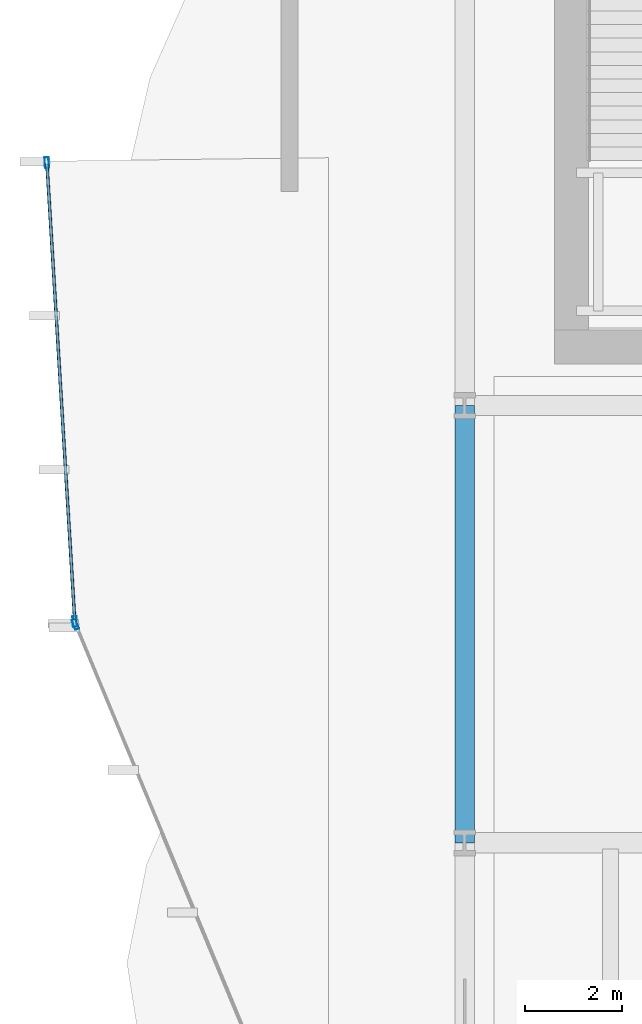
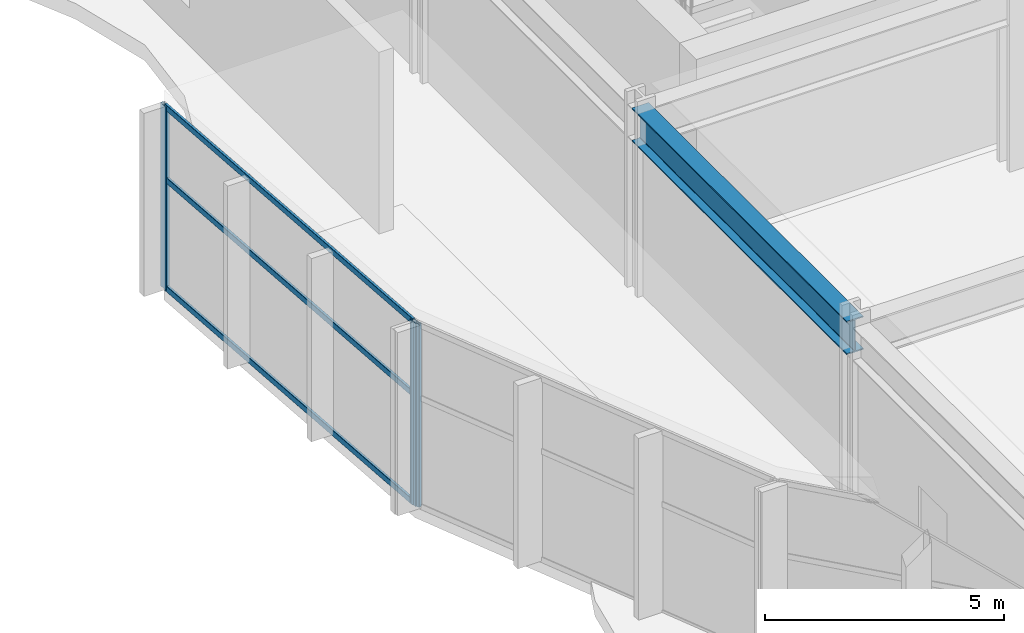
# One storey, part 5 of 28: 6 members, 1 beam, 2 elements without a shape of their own.
"""IFC4 building model written with IfcOpenShell, lengths in metres."""

from ifc_helpers import new_model, si_unit, direction, frame, origin, origin_2d, place, context, subcontext, project, spatial, hollow_rectangle, i_section, extrude, material, layer, layer_set, material_profile, profile_set, type_object, element, aggregate, save


model = new_model("IFC4")

# Units and contexts
model_context = context("Model", 3, precision=1e-05, world=origin(), true_north=direction((0.0, 1.0)))
body_context = subcontext(model_context, "Body", "Model", "MODEL_VIEW")
ifc_project = project(units=[si_unit("LENGTHUNIT", "METRE"), si_unit("AREAUNIT", "SQUARE_METRE"), si_unit("VOLUMEUNIT", "CUBIC_METRE"), si_unit("PLANEANGLEUNIT", "RADIAN"), si_unit("MASSUNIT", "GRAM", prefix="KILO")], contexts=[model_context])

# Site, building, storey
site_placement = place(None, origin())
site = spatial("IfcSite", under=ifc_project, at=site_placement, CompositionType="ELEMENT")
building_placement = place(site_placement, origin())
building = spatial("IfcBuilding", under=site, at=building_placement, Name="Solvaryn Broadcast Tower", CompositionType="ELEMENT")
storey_placement = place(building_placement, frame((0.0, 0.0, 16.199951171875)))
storey = spatial("IfcBuildingStorey", under=building, at=storey_placement, Name="L03", CompositionType="ELEMENT", Elevation=16.199951171875)

# Beam
ifc_material_1 = material(Name="Steel ASTM A992 Grade 50", Category="steel")
ifc_material_profile_1 = material_profile(ifc_material_1, i_section(OverallWidth=0.39990234375, OverallDepth=0.85498046875, WebThickness=0.018310546875, FlangeThickness=0.029296875, FilletRadius=0.02001953125, at=origin_2d()))
ifc_profile_set_1 = profile_set([ifc_material_profile_1], Name="Steel ASTM A992 Grade 50")
beam_type = type_object("IfcBeamType", Name="BM-G3-W33X201", PredefinedType="BEAM", material=ifc_profile_set_1)
beam_placement = place(storey_placement, frame((9.0, 18.0, 4.25244140625), z_axis=(0.0, 1.0, 0.0), x_axis=(-1.0, 0.0, 0.0)))
element("IfcBeam", 1, at=beam_placement, inside=storey, type_object=beam_type, Name="L03 Primary Beam Y (18-27 @ X=9)", PredefinedType="BEAM", context=body_context, shape_type="SweptSolid", body=[
    extrude(i_section(OverallWidth=0.39990234375, OverallDepth=0.85498046875, WebThickness=0.018310546875, FlangeThickness=0.029296875, FilletRadius=0.02001953125, at=origin_2d()), origin(), (0.0, 0.0, 1.0), 9.0),
])

# Curtain wall, members
ifc_material_2 = material(Name="Aluminium and Terracotta Unitised Curtain Wall", Category="masonry")
ifc_layer = layer(ifc_material_2, 0.219970703125)
ifc_layer_set = layer_set([ifc_layer], Name="CW-SYS1-PODIUM")
curtain_wall_type = type_object("IfcCurtainWallType", Name="CW-SYS1-PODIUM", PredefinedType="NOTDEFINED", material=ifc_layer_set)
curtain_wall_1_placement = place(storey_placement, origin())
curtain_wall_1 = element("IfcCurtainWall", 2, at=curtain_wall_1_placement, inside=storey, type_object=curtain_wall_type, Name="L03 Podium Curtain Wall DC1", PredefinedType="NOTDEFINED")
ifc_material_3 = material(Name="Anodised Aluminium 6063-T6", Category="aluminium")
ifc_material_profile_2 = material_profile(ifc_material_3, hollow_rectangle(XDim=0.0849609375, YDim=0.219970703125, WallThickness=0.0048828125, InnerFilletRadius=0.0048828125, OuterFilletRadius=0.010009765625, at=origin_2d()))
ifc_profile_set_2 = profile_set([ifc_material_profile_2], Name="Anodised Aluminium 6063-T6")
member_type_1 = type_object("IfcMemberType", Name="CW-MUL-220", PredefinedType="MULLION", material=ifc_profile_set_2)
member_1_placement = place(storey_placement, frame((0.40185546875, 32.0, 0.0), z_axis=(0.0, 0.0, 1.0), x_axis=(0.99815019831, 0.06079623026, 0.0)))
member_1 = element("IfcMember", 3, at=member_1_placement, type_object=member_type_1, Name="CWS1 mullion 1", PredefinedType="MULLION", context=body_context, shape_type="SweptSolid", body=[
    extrude(hollow_rectangle(XDim=0.0849609375, YDim=0.219970703125, WallThickness=0.0048828125, InnerFilletRadius=0.0048828125, OuterFilletRadius=0.010009765625, at=origin_2d()), origin(), (0.0, 0.0, 1.0), 4.679931640625),
])
member_2_placement = place(storey_placement, frame((0.977294921875, 22.553955078125, 0.0), z_axis=(0.0, 0.0, 1.0), x_axis=(0.99815019831, 0.06079623026, 0.0)))
member_2 = element("IfcMember", 4, at=member_2_placement, type_object=member_type_1, Name="CWS1 mullion 2", PredefinedType="MULLION", context=body_context, shape_type="SweptSolid", body=[
    extrude(hollow_rectangle(XDim=0.0849609375, YDim=0.219970703125, WallThickness=0.0048828125, InnerFilletRadius=0.0048828125, OuterFilletRadius=0.010009765625, at=origin_2d()), origin(), (0.0, 0.0, 1.0), 4.679931640625),
])

# Curtain wall, member
curtain_wall_2_placement = place(storey_placement, origin())
curtain_wall_2 = element("IfcCurtainWall", 5, at=curtain_wall_2_placement, inside=storey, type_object=curtain_wall_type, Name="L03 Podium Curtain Wall DC2", PredefinedType="NOTDEFINED")
member_3_placement = place(storey_placement, frame((0.990478515625, 22.496337890625, 0.0), z_axis=(0.0, 0.0, 1.0), x_axis=(0.923582542835, 0.383399643414, 0.0)))
member_3 = element("IfcMember", 6, at=member_3_placement, type_object=member_type_1, Name="CWS1 mullion 1", PredefinedType="MULLION", context=body_context, shape_type="SweptSolid", body=[
    extrude(hollow_rectangle(XDim=0.0849609375, YDim=0.219970703125, WallThickness=0.0048828125, InnerFilletRadius=0.0048828125, OuterFilletRadius=0.010009765625, at=origin_2d()), origin(), (0.0, 0.0, 1.0), 4.679931640625),
])
aggregate(curtain_wall_2, [member_3])

# Member
ifc_material_4 = material(Name="Anodised Aluminium 6063-T6", Category="aluminium")
ifc_material_profile_3 = material_profile(ifc_material_4, hollow_rectangle(XDim=0.06494140625, YDim=0.14990234375, WallThickness=0.00390625, InnerFilletRadius=0.00390625, OuterFilletRadius=0.008056640625, at=origin_2d()))
ifc_profile_set_3 = profile_set([ifc_material_profile_3], Name="Anodised Aluminium 6063-T6")
member_type_2 = type_object("IfcMemberType", Name="CW-TRN-150", PredefinedType="USERDEFINED", material=ifc_profile_set_3)
member_4_placement = place(storey_placement, frame((0.403564453125, 31.97021484375, 0.030029296875), z_axis=(0.060803898209, -0.998149731234, 0.0), x_axis=(0.998149731234, 0.060803898209, 0.0)))
member_4 = element("IfcMember", 7, at=member_4_placement, type_object=member_type_2, Name="CWS1 transom 1.1", ObjectType="TRANSOM", PredefinedType="USERDEFINED", context=body_context, shape_type="SweptSolid", body=[
    extrude(hollow_rectangle(XDim=0.06494140625, YDim=0.14990234375, WallThickness=0.00390625, InnerFilletRadius=0.00390625, OuterFilletRadius=0.008056640625, at=origin_2d()), origin(), (0.0, 0.0, 1.0), 9.403564453125),
])

member_5_placement = place(storey_placement, frame((0.403564453125, 31.97021484375, 2.800048828125), z_axis=(0.060803898209, -0.998149731234, 0.0), x_axis=(0.998149731234, 0.060803898209, 0.0)))
member_5 = element("IfcMember", 8, at=member_5_placement, type_object=member_type_2, Name="CWS1 transom 1.2", ObjectType="TRANSOM", PredefinedType="USERDEFINED", context=body_context, shape_type="SweptSolid", body=[
    extrude(hollow_rectangle(XDim=0.06494140625, YDim=0.14990234375, WallThickness=0.00390625, InnerFilletRadius=0.00390625, OuterFilletRadius=0.008056640625, at=origin_2d()), origin(), (0.0, 0.0, 1.0), 9.403564453125),
])

member_6_placement = place(storey_placement, frame((0.403564453125, 31.97021484375, 4.650146484375), z_axis=(0.060803898209, -0.998149731234, 0.0), x_axis=(0.998149731234, 0.060803898209, 0.0)))
member_6 = element("IfcMember", 9, at=member_6_placement, type_object=member_type_2, Name="CWS1 transom 1.3", ObjectType="TRANSOM", PredefinedType="USERDEFINED", context=body_context, shape_type="SweptSolid", body=[
    extrude(hollow_rectangle(XDim=0.06494140625, YDim=0.14990234375, WallThickness=0.00390625, InnerFilletRadius=0.00390625, OuterFilletRadius=0.008056640625, at=origin_2d()), origin(), (0.0, 0.0, 1.0), 9.403564453125),
])

aggregate(curtain_wall_1, [member_1, member_2, member_4, member_5, member_6])

save(model, "model.ifc")
